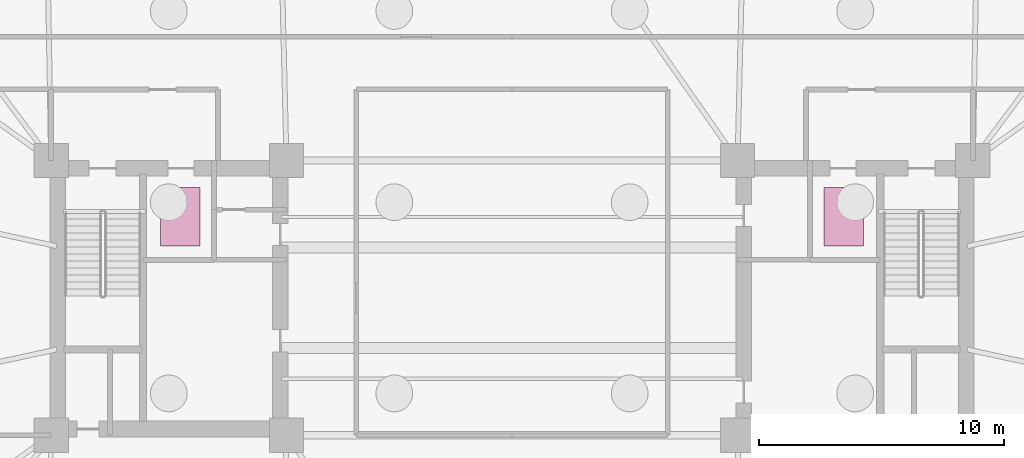
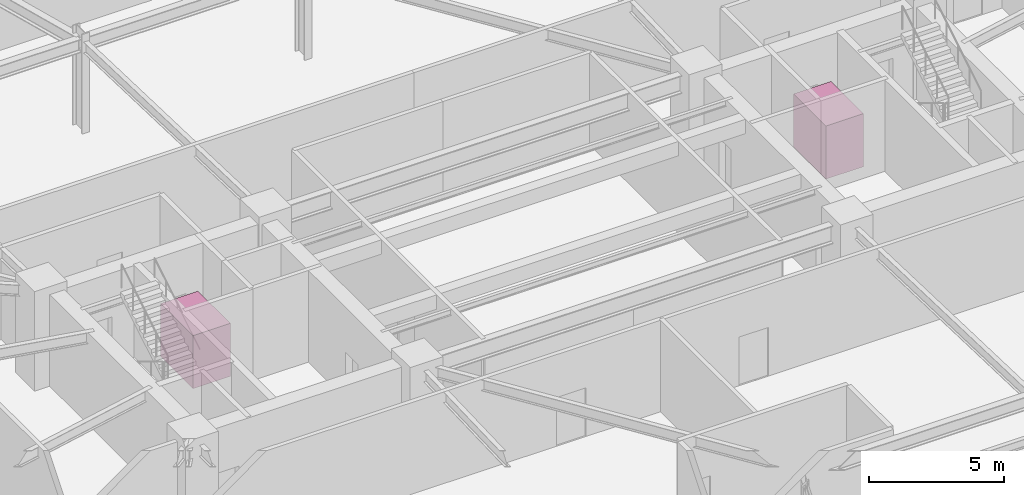
# One storey, part 15 of 15: 2 transport elements.
"""IFC4 building model written with IfcOpenShell, lengths in metres."""

from ifc_helpers import new_model, si_unit, direction, frame, origin, origin_2d, place, context, subcontext, project, spatial, rectangle, extrude, material, type_object, element, save


model = new_model("IFC4")

# Units and contexts
model_context = context("Model", 3, precision=1e-05, world=origin(), true_north=direction((0.0, 1.0)))
body_context = subcontext(model_context, "Body", "Model", "MODEL_VIEW")
ifc_project = project(units=[si_unit("LENGTHUNIT", "METRE"), si_unit("AREAUNIT", "SQUARE_METRE"), si_unit("VOLUMEUNIT", "CUBIC_METRE"), si_unit("PLANEANGLEUNIT", "RADIAN"), si_unit("MASSUNIT", "GRAM", prefix="KILO")], contexts=[model_context])

# Site, building, storey
site_placement = place(None, origin())
site = spatial("IfcSite", under=ifc_project, at=site_placement, CompositionType="ELEMENT")
building_placement = place(site_placement, origin())
building = spatial("IfcBuilding", under=site, at=building_placement, Name="Qobustan Lattice House", CompositionType="ELEMENT")
storey_placement = place(building_placement, frame((0.0, 0.0, -9.0)))
storey = spatial("IfcBuildingStorey", under=building, at=storey_placement, Name="B02", CompositionType="ELEMENT", Elevation=-9.0)

# Transport elements
ifc_material = material(Name="Stainless steel firefighting elevator car", Category="steel")
transport_element_type = type_object("IfcTransportElementType", Name="LFT-FIREFIGHTING-1800", PredefinedType="ELEVATOR", material=ifc_material)
for number, where, z_axis, x_axis, name in (
    (1, (-13.534912109375, 3.304931640625, 0.0), (0.0, 0.0, 1.0), (1.0, 0.0, 0.0), "West Firefighting Lift FF-W"),
    (2, (13.534912109375, 3.304931640625, 0.0), (0.0, 0.0, 1.0), (1.0, 0.0, 0.0), "East Firefighting Lift FF-E"),
):
    element("IfcTransportElement", number, at=place(storey_placement, frame(where, z_axis=z_axis, x_axis=x_axis)), inside=storey, type_object=transport_element_type, Name=name, PredefinedType="ELEVATOR", context=body_context, shape_type="SweptSolid", body=[
        extrude(rectangle(XDim=1.60009765625, YDim=2.39990234375, at=origin_2d()), origin(), (0.0, 0.0, 1.0), 2.39990234375),
    ])

save(model, "model.ifc")
